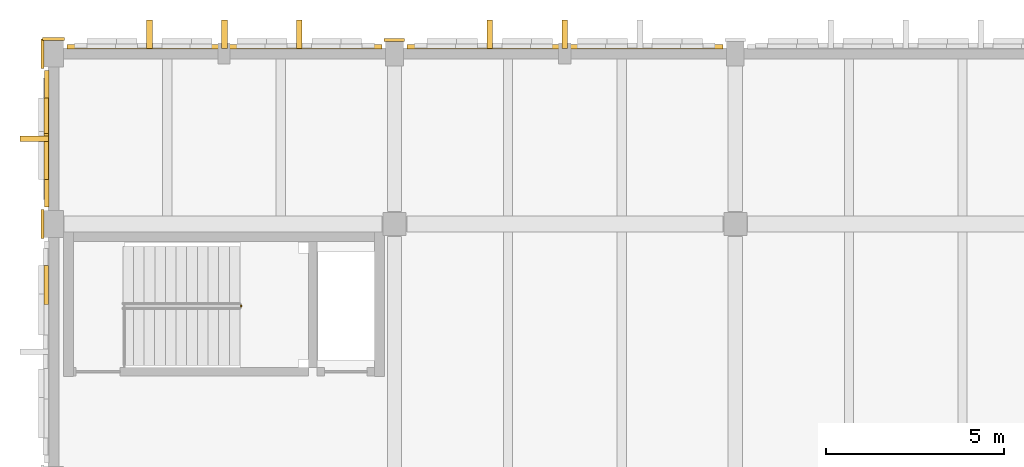
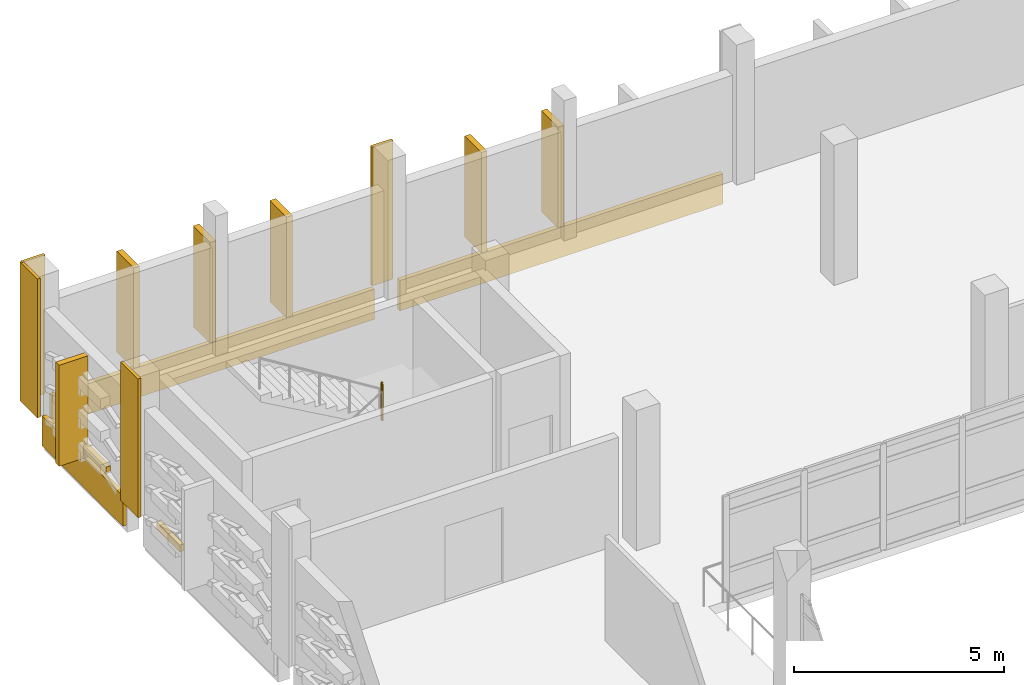
# One storey, part 66 of 72: 16 coverings, 1 railing.
"""IFC4 building model written with IfcOpenShell, lengths in metres."""

from ifc_helpers import new_model, si_unit, direction, frame, origin, origin_2d, place, context, subcontext, project, spatial, rectangle, circle, extrude, material, layer, layer_set, type_object, element, save


model = new_model("IFC4")

# Units and contexts
model_context = context("Model", 3, precision=1e-05, world=origin(), true_north=direction((0.0, 1.0)))
body_context = subcontext(model_context, "Body", "Model", "MODEL_VIEW")
ifc_project = project(units=[si_unit("LENGTHUNIT", "METRE"), si_unit("AREAUNIT", "SQUARE_METRE"), si_unit("VOLUMEUNIT", "CUBIC_METRE"), si_unit("PLANEANGLEUNIT", "RADIAN"), si_unit("MASSUNIT", "GRAM", prefix="KILO")], contexts=[model_context])

# Site, building, storey
site_placement = place(None, origin())
site = spatial("IfcSite", under=ifc_project, at=site_placement, CompositionType="ELEMENT")
building_placement = place(site_placement, origin())
building = spatial("IfcBuilding", under=site, at=building_placement, Name="Asteropetra Specialist Clinic", CompositionType="ELEMENT")
storey_placement = place(building_placement, frame((0.0, 0.0, 12.580078125)))
storey = spatial("IfcBuildingStorey", under=building, at=storey_placement, Name="L03", CompositionType="ELEMENT", Elevation=12.580078125)

# Coverings
ifc_material_1 = material(Name="Chevron terracotta pale", Category="masonry")
ifc_layer_1 = layer(ifc_material_1, 0.1201171875)
ifc_layer_set_1 = layer_set([ifc_layer_1], Name="Chevron terracotta pale")
covering_type_1 = type_object("IfcCoveringType", Name="CLD-TER-PALE", PredefinedType="CLADDING", material=ifc_layer_set_1)
covering_1_placement = place(storey_placement, frame((4.8125, 110.590087890625, -0.800048828125), z_axis=(0.0, 0.0, 1.0), x_axis=(1.0, 0.0, 0.0)))
element("IfcCovering", 1, at=covering_1_placement, inside=storey, type_object=covering_type_1, Name="Chevron Spandrel Band CV-1451", PredefinedType="CLADDING", context=body_context, shape_type="SweptSolid", body=[
    extrude(rectangle(XDim=8.875, YDim=0.1201171875, at=origin_2d()), origin(), (0.0, 0.0, 1.0), 0.8798828125),
])
covering_2_placement = place(storey_placement, frame((14.39990234375, 110.590087890625, -0.800048828125), z_axis=(0.0, 0.0, 1.0), x_axis=(1.0, 0.0, 0.0)))
element("IfcCovering", 2, at=covering_2_placement, inside=storey, type_object=covering_type_1, Name="Chevron Spandrel Band CV-1460", PredefinedType="CLADDING", context=body_context, shape_type="SweptSolid", body=[
    extrude(rectangle(XDim=8.89990234375, YDim=0.1201171875, at=origin_2d()), origin(), (0.0, 0.0, 1.0), 0.8798828125),
])
covering_3_placement = place(storey_placement, frame((-0.205078125, 103.882080078125, 0.1201171875), z_axis=(0.0, 0.0, 1.0), x_axis=(1.0, 0.0, 0.0)))
element("IfcCovering", 3, at=covering_3_placement, inside=storey, type_object=covering_type_1, Name="Chevron Ceramic Band CV-1551", PredefinedType="CLADDING", context=body_context, shape_type="SweptSolid", body=[
    extrude(rectangle(XDim=0.1201171875, YDim=1.10400390625, at=origin_2d()), origin(), (0.0, 0.0, 1.0), 0.199951171875),
])
covering_4_placement = place(storey_placement, frame((-0.18994140625, 108.0, -0.800048828125), z_axis=(0.0, 0.0, 1.0), x_axis=(1.0, 0.0, 0.0)))
element("IfcCovering", 4, at=covering_4_placement, inside=storey, type_object=covering_type_1, Name="Chevron Spandrel Band CV-1560", PredefinedType="CLADDING", context=body_context, shape_type="SweptSolid", body=[
    extrude(rectangle(XDim=0.1201171875, YDim=3.85009765625, at=origin_2d()), origin(), (0.0, 0.0, 1.0), 0.8798828125),
])
for number, where, z_axis, x_axis, name in (
    (5, (-0.205078125, 108.505615234375, 0.1201171875), (0.0, 0.0, 1.0), (1.0, 0.0, 0.0), "Chevron Ceramic Band CV-1561"),
    (6, (-0.205078125, 107.494384765625, 0.259765625), (0.0, 0.0, 1.0), (1.0, 0.0, 0.0), "Chevron Ceramic Band CV-1562"),
):
    element("IfcCovering", number, at=place(storey_placement, frame(where, z_axis=z_axis, x_axis=x_axis)), inside=storey, type_object=covering_type_1, Name=name, PredefinedType="CLADDING", context=body_context, shape_type="SweptSolid", body=[
        extrude(rectangle(XDim=0.1201171875, YDim=1.2958984375, at=origin_2d()), origin(), (0.0, 0.0, 1.0), 0.199951171875),
    ])
ifc_material_2 = material(Name="Pentelic marble ashlar", Category="masonry")
ifc_layer_2 = layer(ifc_material_2, 0.159912109375)
ifc_layer_set_2 = layer_set([ifc_layer_2], Name="Pentelic marble ashlar")
covering_type_2 = type_object("IfcCoveringType", Name="CRN-ENTAB-600", PredefinedType="MOLDING", material=ifc_layer_set_2)
covering_5_placement = place(storey_placement, frame((-0.306884765625, 105.60009765625, 0.02001953125), z_axis=(0.0, 0.0, 1.0), x_axis=(1.0, 0.0, 0.0)))
element("IfcCovering", 7, at=covering_5_placement, inside=storey, type_object=covering_type_2, Name="Neoclassical Pilaster Facing CM-0681", PredefinedType="MOLDING", context=body_context, shape_type="SweptSolid", body=[
    extrude(rectangle(XDim=0.080078125, YDim=0.830078125, at=origin_2d()), origin(), (0.0, 0.0, 1.0), 4.0400390625),
])
covering_6_placement = place(storey_placement, frame((0.0, 110.806884765625, 0.02001953125), z_axis=(0.0, 0.0, 1.0), x_axis=(1.0, 0.0, 0.0)))
element("IfcCovering", 8, at=covering_6_placement, inside=storey, type_object=covering_type_2, Name="Neoclassical Pilaster Facing CM-0682", PredefinedType="MOLDING", context=body_context, shape_type="SweptSolid", body=[
    extrude(rectangle(XDim=0.6298828125, YDim=0.080078125, at=origin_2d()), origin(), (0.0, 0.0, 1.0), 4.0400390625),
])
covering_7_placement = place(storey_placement, frame((-0.306884765625, 110.39990234375, 0.02001953125), z_axis=(0.0, 0.0, 1.0), x_axis=(1.0, 0.0, 0.0)))
element("IfcCovering", 9, at=covering_7_placement, inside=storey, type_object=covering_type_2, Name="Neoclassical Pilaster Facing CM-0683", PredefinedType="MOLDING", context=body_context, shape_type="SweptSolid", body=[
    extrude(rectangle(XDim=0.080078125, YDim=0.830078125, at=origin_2d()), origin(), (0.0, 0.0, 1.0), 4.0400390625),
])
covering_8_placement = place(storey_placement, frame((9.60009765625, 110.781982421875, 0.02001953125), z_axis=(0.0, 0.0, 1.0), x_axis=(1.0, 0.0, 0.0)))
element("IfcCovering", 10, at=covering_8_placement, inside=storey, type_object=covering_type_2, Name="Neoclassical Pilaster Facing CM-0685", PredefinedType="MOLDING", context=body_context, shape_type="SweptSolid", body=[
    extrude(rectangle(XDim=0.580078125, YDim=0.080078125, at=origin_2d()), origin(), (0.0, 0.0, 1.0), 4.0400390625),
])
ifc_material_3 = material(Name="Pentelic marble solar fin", Category="masonry")
ifc_layer_3 = layer(ifc_material_3, 0.080078125)
ifc_layer_set_3 = layer_set([ifc_layer_3], Name="Pentelic marble solar fin")
covering_type_3 = type_object("IfcCoveringType", Name="FIN-SOLAR-800", PredefinedType="MOLDING", material=ifc_layer_set_3)
for number, where, z_axis, x_axis, name in (
    (11, (6.92138671875, 110.945068359375, 0.070068359375), (0.0, 0.0, 1.0), (1.0, 0.0, 0.0), "Solar Shading Fin FN-0081"),
    (12, (4.8125, 110.945068359375, 0.070068359375), (0.0, 0.0, 1.0), (1.0, 0.0, 0.0), "Solar Shading Fin FN-0082"),
    (13, (2.703857421875, 110.945068359375, 0.070068359375), (0.0, 0.0, 1.0), (1.0, 0.0, 0.0), "Solar Shading Fin FN-0083"),
    (14, (14.39990234375, 110.945068359375, 0.070068359375), (0.0, 0.0, 1.0), (1.0, 0.0, 0.0), "Solar Shading Fin FN-0085"),
    (15, (12.284912109375, 110.945068359375, 0.070068359375), (0.0, 0.0, 1.0), (1.0, 0.0, 0.0), "Solar Shading Fin FN-0086"),
):
    element("IfcCovering", number, at=place(storey_placement, frame(where, z_axis=z_axis, x_axis=x_axis)), inside=storey, type_object=covering_type_3, Name=name, PredefinedType="MOLDING", context=body_context, shape_type="SweptSolid", body=[
        extrude(rectangle(XDim=0.159912109375, YDim=0.800048828125, at=origin_2d()), origin(), (0.0, 0.0, 1.0), 2.93994140625),
    ])
covering_9_placement = place(storey_placement, frame((-0.544921875, 108.0, 0.070068359375), z_axis=(0.0, 0.0, 1.0), x_axis=(1.0, 0.0, 0.0)))
element("IfcCovering", 16, at=covering_9_placement, inside=storey, type_object=covering_type_3, Name="Solar Shading Fin FN-0110", PredefinedType="MOLDING", context=body_context, shape_type="SweptSolid", body=[
    extrude(rectangle(XDim=0.800048828125, YDim=0.159912109375, at=origin_2d()), origin(), (0.0, 0.0, 1.0), 2.93994140625),
])

# Railing
ifc_material_4 = material(Name="Steel S355 and laminated glass guard", Category="steel")
railing_type = type_object("IfcRailingType", Name="GRD-INT-1120", PredefinedType="GUARDRAIL", material=ifc_material_4)
railing_placement = place(storey_placement, frame((5.280029296875, 103.27001953125, 2.0400390625)))
element("IfcRailing", 17, at=railing_placement, inside=storey, type_object=railing_type, Name="Landing Slot Guard ST01-L03", PredefinedType="GUARDRAIL", context=body_context, shape_type="SweptSolid", body=[
    extrude(circle(Radius=0.02392578125, at=origin_2d()), frame((0.0, 0.0, 1.09619140625), z_axis=(0.0, 1.0, 0.0), x_axis=(-1.0, 0.0, 0.0)), (0.0, 0.0, 1.0), 0.0400390625),
    extrude(circle(Radius=0.02099609375, at=origin_2d()), origin(), (0.0, 0.0, 1.0), 1.072021484375),
    extrude(circle(Radius=0.02099609375, at=origin_2d()), frame((0.0, 0.0400390625, 0.0)), (0.0, 0.0, 1.0), 1.072021484375),
])

save(model, "model.ifc")
